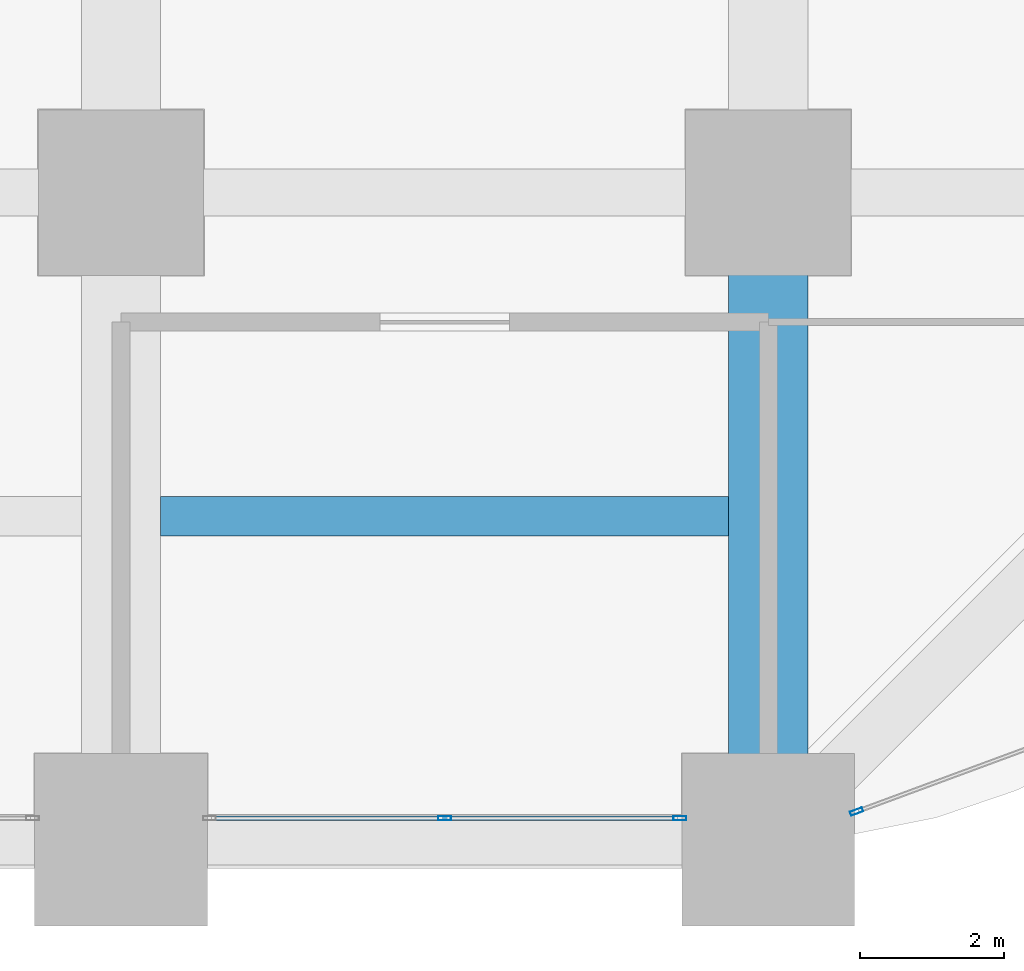
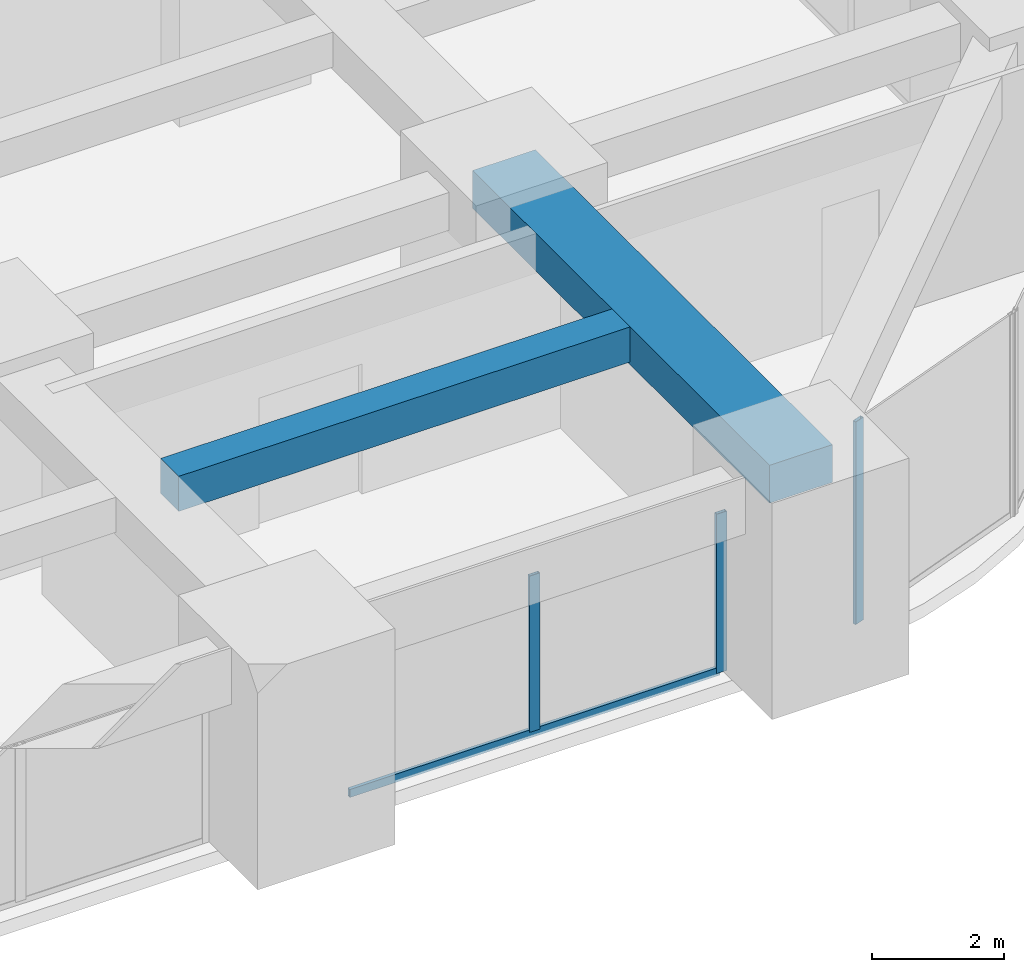
# One storey, part 15 of 44: 4 members, 2 beams, 2 elements without a shape of their own.
"""IFC4 building model written with IfcOpenShell, lengths in metres."""

from ifc_helpers import new_model, si_unit, direction, frame, origin, origin_2d, place, context, subcontext, project, spatial, rectangle, hollow_rectangle, extrude, material, material_profile, profile_set, type_object, element, aggregate, save


model = new_model("IFC4")

# Units and contexts
model_context = context("Model", 3, precision=1e-05, world=origin(), true_north=direction((0.0, 1.0)))
body_context = subcontext(model_context, "Body", "Model", "MODEL_VIEW")
ifc_project = project(units=[si_unit("LENGTHUNIT", "METRE"), si_unit("AREAUNIT", "SQUARE_METRE"), si_unit("VOLUMEUNIT", "CUBIC_METRE"), si_unit("PLANEANGLEUNIT", "RADIAN"), si_unit("MASSUNIT", "GRAM", prefix="KILO")], contexts=[model_context])

# Site, building, storey
site_placement = place(None, origin())
site = spatial("IfcSite", under=ifc_project, at=site_placement, CompositionType="ELEMENT")
building_placement = place(site_placement, origin())
building = spatial("IfcBuilding", under=site, at=building_placement, Name="Zorevar Civic Tower", CompositionType="ELEMENT")
storey_placement = place(building_placement, frame((0.0, 0.0, 35.800048828125)))
storey = spatial("IfcBuildingStorey", under=building, at=storey_placement, Name="L08", CompositionType="ELEMENT", Elevation=35.800048828125)

# Beams
ifc_material_1 = material(Name="Concrete C50/60", Category="concrete")
ifc_material_profile_1 = material_profile(ifc_material_1, rectangle(XDim=1.10009765625, YDim=0.699951171875, at=origin_2d()), Name="RC 1100x700")
ifc_profile_set_1 = profile_set([ifc_material_profile_1], Name="Concrete C50/60")
beam_type_1 = type_object("IfcBeamType", Name="Beam RC 1100x700", PredefinedType="BEAM", material=ifc_profile_set_1)
beam_1_placement = place(storey_placement, frame((54.0, 0.0, 3.39990234375), z_axis=(0.0, 1.0, 0.0), x_axis=(-1.0, 0.0, 0.0)))
element("IfcBeam", 1, at=beam_1_placement, inside=storey, type_object=beam_type_1, Name="Girder L09", PredefinedType="BEAM", context=body_context, shape_type="SweptSolid", body=[
    extrude(rectangle(XDim=1.10009765625, YDim=0.699951171875, at=origin_2d()), origin(), (0.0, 0.0, 1.0), 9.0),
])
ifc_material_2 = material(Name="Concrete C50/60", Category="concrete")
ifc_material_profile_2 = material_profile(ifc_material_2, rectangle(XDim=0.550048828125, YDim=0.64990234375, at=origin_2d()), Name="RC 550x650")
ifc_profile_set_2 = profile_set([ifc_material_profile_2], Name="Concrete C50/60")
beam_type_2 = type_object("IfcBeamType", Name="Beam RC 550x650", PredefinedType="BEAM", material=ifc_profile_set_2)
beam_2_placement = place(storey_placement, frame((45.550048828125, 4.5, 3.425048828125), z_axis=(1.0, 0.0, 0.0), x_axis=(0.0, 1.0, 0.0)))
element("IfcBeam", 2, at=beam_2_placement, inside=storey, type_object=beam_type_2, Name="Secondary beam L09", PredefinedType="BEAM", context=body_context, shape_type="SweptSolid", body=[
    extrude(rectangle(XDim=0.550048828125, YDim=0.64990234375, at=origin_2d()), origin(), (0.0, 0.0, 1.0), 7.89990234375),
])

# Curtain wall, members
ifc_material_3 = material(Name="Dark grey solar-control glass in black aluminium frame", Category="aluminium")
curtain_wall_type = type_object("IfcCurtainWallType", Name="Curtain wall CW2 low zone", PredefinedType="NOTDEFINED", material=ifc_material_3)
curtain_wall_1_placement = place(storey_placement, origin())
curtain_wall_1 = element("IfcCurtainWall", 3, at=curtain_wall_1_placement, inside=storey, type_object=curtain_wall_type, Name="CW2 L08", PredefinedType="NOTDEFINED")
ifc_material_4 = material(Name="Aluminium, black anodised", Category="aluminium")
ifc_material_profile_3 = material_profile(ifc_material_4, hollow_rectangle(XDim=0.06005859375, YDim=0.179931640625, WallThickness=0.00390625, at=origin_2d()), Name="AL 180x60x4")
ifc_profile_set_3 = profile_set([ifc_material_profile_3], Name="Aluminium, black anodised")
member_type_1 = type_object("IfcMemberType", Name="CW2 mullion AL 180x60x4", PredefinedType="MULLION", material=ifc_profile_set_3)
member_1_placement = place(storey_placement, frame((49.5, 0.300048828125, 0.06005859375), z_axis=(0.0, 0.0, 1.0), x_axis=(0.0, 1.0, 0.0)))
member_1 = element("IfcMember", 4, at=member_1_placement, type_object=member_type_1, Name="CW2 mullion 2", PredefinedType="MULLION", context=body_context, shape_type="SweptSolid", body=[
    extrude(hollow_rectangle(XDim=0.06005859375, YDim=0.179931640625, WallThickness=0.00390625, at=origin_2d()), origin(), (0.0, 0.0, 1.0), 2.889892578125),
])
member_2_placement = place(storey_placement, frame((52.77001953125, 0.300048828125, 0.0), z_axis=(0.0, 0.0, 1.0), x_axis=(0.0, 1.0, 0.0)))
member_2 = element("IfcMember", 5, at=member_2_placement, type_object=member_type_1, Name="CW2 mullion 3", PredefinedType="MULLION", context=body_context, shape_type="SweptSolid", body=[
    extrude(hollow_rectangle(XDim=0.06005859375, YDim=0.179931640625, WallThickness=0.00390625, at=origin_2d()), origin(), (0.0, 0.0, 1.0), 2.949951171875),
])

# Curtain wall, member
curtain_wall_2_placement = place(storey_placement, origin())
curtain_wall_2 = element("IfcCurtainWall", 6, at=curtain_wall_2_placement, inside=storey, type_object=curtain_wall_type, Name="CW2 L08", PredefinedType="NOTDEFINED")
member_3_placement = place(storey_placement, frame((55.22802734375, 0.3935546875, 0.0), z_axis=(0.0, 0.0, 1.0), x_axis=(-0.346704012033, 0.937974588163, 0.0)))
member_3 = element("IfcMember", 7, at=member_3_placement, type_object=member_type_1, Name="CW2 mullion 1", PredefinedType="MULLION", context=body_context, shape_type="SweptSolid", body=[
    extrude(hollow_rectangle(XDim=0.06005859375, YDim=0.179931640625, WallThickness=0.00390625, at=origin_2d()), origin(), (0.0, 0.0, 1.0), 3.75),
])
aggregate(curtain_wall_2, [member_3])

# Member
ifc_material_5 = material(Name="Aluminium, black anodised", Category="aluminium")
ifc_material_profile_4 = material_profile(ifc_material_5, hollow_rectangle(XDim=0.06005859375, YDim=0.14990234375, WallThickness=0.00390625, at=origin_2d()), Name="AL 150x60x4")
ifc_profile_set_4 = profile_set([ifc_material_profile_4], Name="Aluminium, black anodised")
member_type_2 = type_object("IfcMemberType", Name="CW2 transom AL 150x60x4", PredefinedType="USERDEFINED", material=ifc_profile_set_4)
member_4_placement = place(storey_placement, frame((46.260009765625, 0.300048828125, 0.030029296875), z_axis=(1.0, 0.0, 0.0), x_axis=(0.0, 1.0, 0.0)))
member_4 = element("IfcMember", 8, at=member_4_placement, type_object=member_type_2, Name="CW2 sill transom", ObjectType="TRANSOM", PredefinedType="USERDEFINED", context=body_context, shape_type="SweptSolid", body=[
    extrude(hollow_rectangle(XDim=0.06005859375, YDim=0.14990234375, WallThickness=0.00390625, at=origin_2d()), origin(), (0.0, 0.0, 1.0), 6.47998046875),
])

aggregate(curtain_wall_1, [member_1, member_2, member_4])

save(model, "model.ifc")
